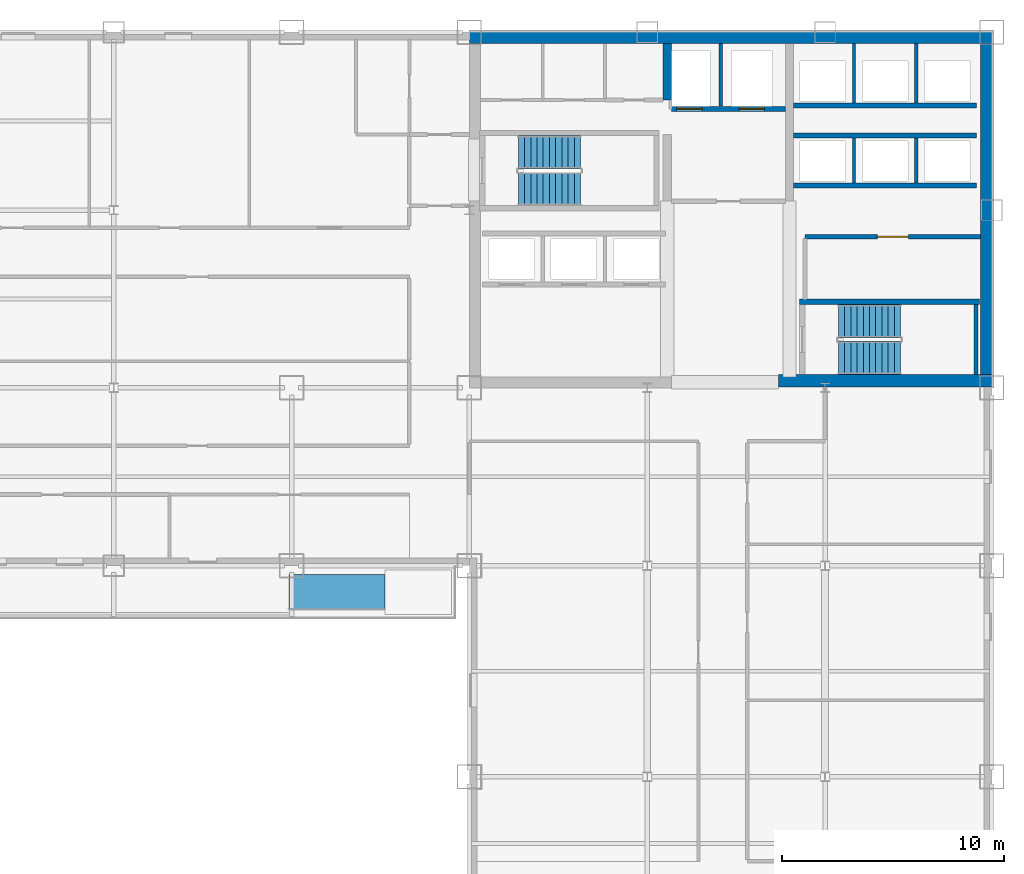
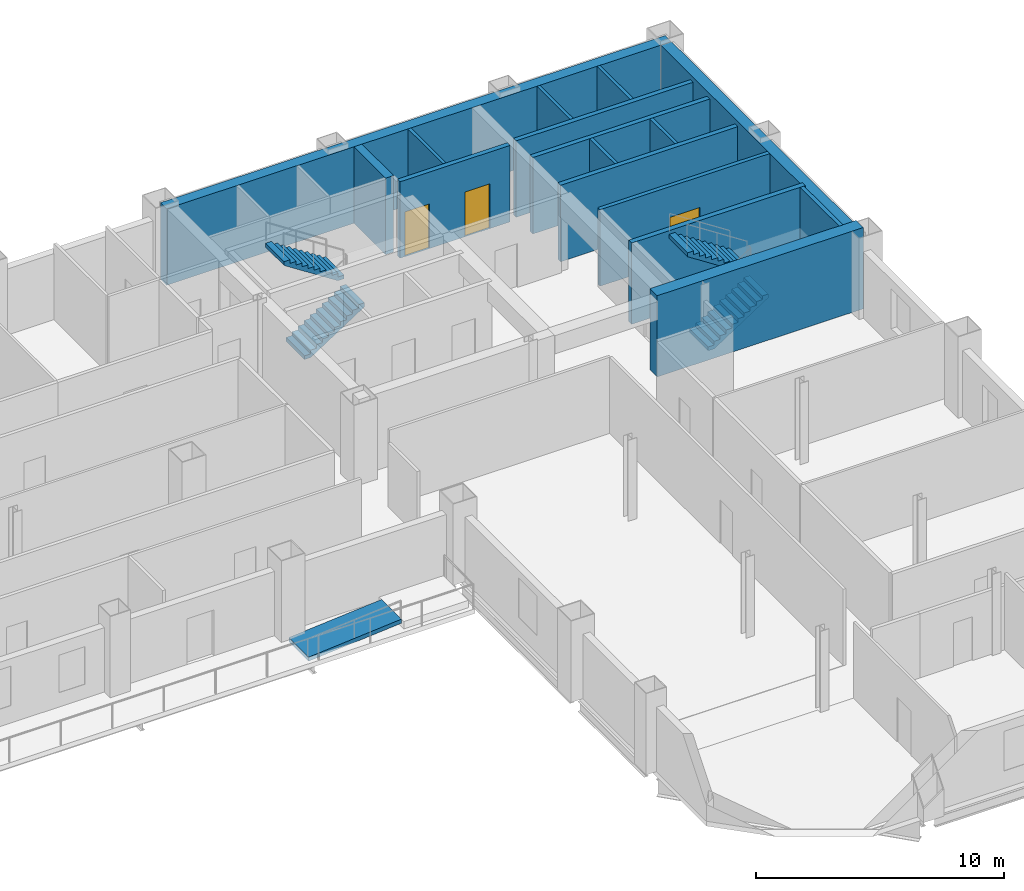
# One storey, part 8 of 10: 16 walls, 4 stair flights, 3 doors, 1 ramp flight, 3 openings, 3 elements without a shape of their own.
"""IFC4 building model written with IfcOpenShell, lengths in metres."""

import ifcopenshell
import ifcopenshell.guid

model = None  # the IFC model being written
_history = None  # IfcOwnerHistory: only IFC2X3 demands one
_inside = {}  # id of a spatial element -> (the spatial element, [elements in it])
_under = {}  # id of a project, library or spatial element -> (it, [spatial elements below it])
_declared = {}  # id of a project -> (the project, [libraries it declares])
_typed = {}  # id of a type object -> (the type object, [elements of that type])
_made_of = {}  # id of a material, layer set ... -> (it, [elements and type objects made of it])


def new_model(schema):
    """Start an empty IFC model of exactly this schema.

    Asked for "IFC4X3", IfcOpenShell would pick the latest addendum, in which some entities
    have other attributes; the version numbers below select the first issue.
    IFC2X3 requires an IfcOwnerHistory on every rooted entity: one is made here for all.
    """
    global model, _history
    if schema == "IFC4X3":
        model = ifcopenshell.file(schema_version=(4, 3, 0, 0))
    else:
        model = ifcopenshell.file(schema=schema)
    _inside.clear()
    _under.clear()
    _declared.clear()
    _typed.clear()
    _made_of.clear()
    _history = None
    if model.schema == "IFC2X3":
        org = make("IfcOrganization", Name="unknown")
        user = make(
            "IfcPersonAndOrganization",
            ThePerson=make("IfcPerson", FamilyName="unknown"),
            TheOrganization=org,
        )
        app = make(
            "IfcApplication",
            ApplicationDeveloper=org,
            Version="unknown",
            ApplicationFullName="unknown",
            ApplicationIdentifier="unknown",
        )
        _history = make(
            "IfcOwnerHistory",
            OwningUser=user,
            OwningApplication=app,
            ChangeAction="ADDED",
            CreationDate=0,
        )
    return model


def make(cls, **values):
    """One entity of the class cls with the attributes given. An attribute that is None is left unset."""
    return model.create_entity(
        cls, **{name: value for name, value in values.items() if value is not None}
    )


def rooted(cls, **values):
    """An entity with a GlobalId (a new one), such as an element, a storey or a relation."""
    return make(cls, GlobalId=ifcopenshell.guid.new(), OwnerHistory=_history, **values)


def si_unit(unit_type, name, prefix=None):
    """IfcSIUnit, for example si_unit("LENGTHUNIT", "METRE", prefix="MILLI")."""
    return make("IfcSIUnit", UnitType=unit_type, Prefix=prefix, Name=name)


def assignment(units):
    """IfcUnitAssignment: the units of a project."""
    return None if units is None else make("IfcUnitAssignment", Units=units)


def point(xyz):
    """IfcCartesianPoint."""
    return None if xyz is None else make("IfcCartesianPoint", Coordinates=xyz)


def direction(xyz):
    """IfcDirection."""
    return None if xyz is None else make("IfcDirection", DirectionRatios=xyz)


def frame(location, z_axis=None, x_axis=None):
    """IfcAxis2Placement3D, a coordinate frame: its origin and axes. An axis left out is left unset."""
    return make(
        "IfcAxis2Placement3D",
        Location=point(location),
        Axis=direction(z_axis),
        RefDirection=direction(x_axis),
    )


def frame_2d(location, x_axis=None):
    """IfcAxis2Placement2D, a coordinate frame in the plane: its origin and x axis."""
    return make(
        "IfcAxis2Placement2D", Location=point(location), RefDirection=direction(x_axis)
    )


def origin():
    """The frame at (0, 0, 0) with its axes left unset."""
    return frame((0.0, 0.0, 0.0))


def place(relative_to, where):
    """IfcLocalPlacement: puts the frame where relative to a parent placement (None: the world)."""
    return make(
        "IfcLocalPlacement", PlacementRelTo=relative_to, RelativePlacement=where
    )


def context(
    kind, dimensions, precision=None, world=None, true_north=None, identifier=None
):
    """IfcGeometricRepresentationContext, for example the 3D "Model" context."""
    return make(
        "IfcGeometricRepresentationContext",
        ContextIdentifier=identifier,
        ContextType=kind,
        CoordinateSpaceDimension=dimensions,
        Precision=precision,
        WorldCoordinateSystem=world,
        TrueNorth=true_north,
    )


def subcontext(parent, identifier, kind, view, scale=None):
    """IfcGeometricRepresentationSubContext, for example "Body" below "Model"."""
    return make(
        "IfcGeometricRepresentationSubContext",
        ContextIdentifier=identifier,
        ContextType=kind,
        ParentContext=parent,
        TargetScale=scale,
        TargetView=view,
    )


def project(units=None, contexts=None):
    """IfcProject with its units and contexts."""
    return rooted(
        "IfcProject",
        Name="project",
        RepresentationContexts=contexts,
        UnitsInContext=assignment(units),
    )


def spatial(cls, under=None, at=None, **own):
    """A site, building, storey or space (cls), placed at a placement, below another one or the project."""
    s = rooted(cls, ObjectPlacement=at, **own)
    if under is not None:
        _under.setdefault(under.id(), (under, []))[1].append(s)
    return s


def polyline(points):
    """IfcPolyline through the points."""
    return make("IfcPolyline", Points=[point(p) for p in points])


def profile(cls, at=None, kind="AREA", **sizes):
    """A parametric profile (cls). Its sizes go by their IFC names, for example OverallWidth=200.0."""
    return make(cls, ProfileType=kind, Position=at, **sizes)


def rectangle(**sizes):
    """IfcRectangleProfileDef."""
    return profile("IfcRectangleProfileDef", **sizes)


def outline(outer, holes=None, kind="AREA"):
    """IfcArbitraryClosedProfileDef: a profile drawn as a closed curve; with holes, ...WithVoids."""
    if holes is None:
        return make("IfcArbitraryClosedProfileDef", ProfileType=kind, OuterCurve=outer)
    return make(
        "IfcArbitraryProfileDefWithVoids",
        ProfileType=kind,
        OuterCurve=outer,
        InnerCurves=holes,
    )


def extrude(swept, where, along, depth):
    """IfcExtrudedAreaSolid: the profile swept, set in the frame where, extruded along a direction by depth."""
    return make(
        "IfcExtrudedAreaSolid",
        SweptArea=swept,
        Position=where,
        ExtrudedDirection=direction(along),
        Depth=depth,
    )


def shape(context_of_items, identifier, shape_type, items):
    """IfcShapeRepresentation: the items that make up one representation, for example the "Body"."""
    return make(
        "IfcShapeRepresentation",
        ContextOfItems=context_of_items,
        RepresentationIdentifier=identifier,
        RepresentationType=shape_type,
        Items=items,
    )


def material(Name=None, Category=None):
    """IfcMaterial."""
    return make("IfcMaterial", Name=Name, Category=Category)


def layer(
    of_material, thickness, ventilated=None, Name=None, Category=None, Priority=None
):
    """IfcMaterialLayer: one layer of a wall or slab, of a material (None: an air gap)."""
    return make(
        "IfcMaterialLayer",
        Material=of_material,
        LayerThickness=thickness,
        IsVentilated=ventilated,
        Name=Name,
        Category=Category,
        Priority=Priority,
    )


def layer_set(layers, Name=None):
    """IfcMaterialLayerSet."""
    return make("IfcMaterialLayerSet", MaterialLayers=layers, LayerSetName=Name)


def made_of(thing, what):
    """Note that an element or type object is made of a material, layer set ...; save() writes the relation."""
    if what is not None:
        _made_of.setdefault(what.id(), (what, []))[1].append(thing)
    return thing


def type_object(cls, material=None, **own):
    """A type object (cls), such as IfcWallType, which elements share."""
    return made_of(rooted(cls, **own), material)


def element(
    cls,
    number,
    at=None,
    inside=None,
    cuts=None,
    type_object=None,
    material=None,
    context=None,
    identifier="Body",
    shape_type=None,
    held_by="IfcProductDefinitionShape",
    body=None,
    shapes=None,
    **own,
):
    """One element of the class cls, such as IfcWall. Its Tag is "e" and its number.

    at: its placement. inside: the storey or other place that contains it. cuts: it is an
    opening in that element (IfcRelVoidsElement). A single representation is given by context,
    identifier, shape_type and body (its items); several are given by shapes. held_by: the class
    of the entity that holds the representations. save() writes the other relations.
    """
    e = rooted(cls, Tag="e%d" % number, ObjectPlacement=at, **own)
    if body is not None:
        shapes = [shape(context, identifier, shape_type, body)]
    if shapes is not None:
        e.Representation = make(held_by, Representations=shapes)
    if inside is not None:
        _inside.setdefault(inside.id(), (inside, []))[1].append(e)
    if cuts is not None:
        rooted(
            "IfcRelVoidsElement", RelatingBuildingElement=cuts, RelatedOpeningElement=e
        )
    if type_object is not None:
        _typed.setdefault(type_object.id(), (type_object, []))[1].append(e)
    return made_of(e, material)


def fill(opening, filler):
    """IfcRelFillsElement: the door or window that sits in an opening."""
    return rooted(
        "IfcRelFillsElement",
        RelatingOpeningElement=opening,
        RelatedBuildingElement=filler,
    )


def aggregate(whole, parts):
    """IfcRelAggregates: a whole, such as a stair, and the parts it consists of."""
    return rooted("IfcRelAggregates", RelatingObject=whole, RelatedObjects=parts)


def save(model, path):
    """Write the relations noted so far, then the file.

    IfcRelAggregates (storeys below a building ...), IfcRelContainedInSpatialStructure (elements
    in a storey), IfcRelDefinesByType, IfcRelAssociatesMaterial and IfcRelDeclares: one each for
    every whole, place, type object, material and project.
    """
    for whole, parts in _under.values():
        aggregate(whole, parts)
    for where, things in _inside.values():
        rooted(
            "IfcRelContainedInSpatialStructure",
            RelatedElements=things,
            RelatingStructure=where,
        )
    for kind, things in _typed.values():
        rooted("IfcRelDefinesByType", RelatedObjects=things, RelatingType=kind)
    for what, things in _made_of.values():
        rooted("IfcRelAssociatesMaterial", RelatedObjects=things, RelatingMaterial=what)
    for by, libraries in _declared.values():
        rooted("IfcRelDeclares", RelatingContext=by, RelatedDefinitions=libraries)
    model.write(path)


model = new_model("IFC4")

# Units and contexts
model_context = context("Model", 3, precision=1e-05, world=origin(), true_north=direction((0.0, 1.0)))
body_context = subcontext(model_context, "Body", "Model", "MODEL_VIEW")
ifc_project = project(units=[si_unit("LENGTHUNIT", "METRE"), si_unit("AREAUNIT", "SQUARE_METRE"), si_unit("VOLUMEUNIT", "CUBIC_METRE"), si_unit("PLANEANGLEUNIT", "RADIAN"), si_unit("MASSUNIT", "GRAM", prefix="KILO")], contexts=[model_context])

# Site, building, storey
site_placement = place(None, origin())
site = spatial("IfcSite", under=ifc_project, at=site_placement, CompositionType="ELEMENT")
building_placement = place(site_placement, origin())
building = spatial("IfcBuilding", under=site, at=building_placement, Name="Qianrong Seaharbour Tower", CompositionType="ELEMENT")
storey_placement = place(building_placement, frame((0.0, 0.0, 187.0)))
storey = spatial("IfcBuildingStorey", under=building, at=storey_placement, Name="L45", CompositionType="ELEMENT", Elevation=187.0)

# Walls
ifc_material_1 = material(Name="Concrete C60/75", Category="concrete")
ifc_layer_1 = layer(ifc_material_1, 0.5)
ifc_layer_set_1 = layer_set([ifc_layer_1], Name="Concrete C60/75")
wall_type_1 = type_object("IfcWallType", Name="WALL-CORE-500", PredefinedType="SHEAR", material=ifc_layer_set_1)
wall_1_placement = place(storey_placement, frame((40.5, 51.75, 0.0), z_axis=(0.0, 0.0, 1.0), x_axis=(1.0, 0.0, 0.0)))
element("IfcWall", 1, at=wall_1_placement, inside=storey, type_object=wall_type_1, Name="L45 North Core Shear Wall", PredefinedType="SHEAR", context=body_context, shape_type="SweptSolid", body=[
    extrude(rectangle(XDim=23.5, YDim=0.5, at=frame_2d((11.75, 0.0))), origin(), (0.0, 0.0, 1.0), 3.764892578125),
])
wall_2_placement = place(storey_placement, frame((63.75, 36.320068359375, 0.0), z_axis=(0.0, 0.0, 1.0), x_axis=(0.0, 1.0, 0.0)))
element("IfcWall", 2, at=wall_2_placement, inside=storey, type_object=wall_type_1, Name="L45 East Core Shear Wall", PredefinedType="SHEAR", context=body_context, shape_type="SweptSolid", body=[
    extrude(rectangle(XDim=15.179931640625, YDim=0.5, at=frame_2d((7.58984375, 0.0))), origin(), (0.0, 0.0, 1.0), 3.764892578125),
])
ifc_material_2 = material(Name="Concrete C70/85", Category="concrete")
ifc_layer_2 = layer(ifc_material_2, 0.580078125)
ifc_layer_set_2 = layer_set([ifc_layer_2], Name="Concrete C70/85")
wall_type_2 = type_object("IfcWallType", Name="WALL-CORE-580", PredefinedType="SHEAR", material=ifc_layer_set_2)
wall_3_placement = place(storey_placement, frame((54.39990234375, 36.320068359375, 0.0), z_axis=(0.0, 0.0, 1.0), x_axis=(1.0, 0.0, 0.0)))
element("IfcWall", 3, at=wall_3_placement, inside=storey, type_object=wall_type_2, Name="L45 South Core Shear Wall S3", PredefinedType="SHEAR", context=body_context, shape_type="SweptSolid", body=[
    extrude(rectangle(XDim=9.60009765625, YDim=0.580078125, at=frame_2d((4.800048828125, 0.0))), origin(), (0.0, 0.0, 1.0), 4.0),
])
ifc_layer_3 = layer(ifc_material_1, 0.3798828125)
ifc_layer_set_3 = layer_set([ifc_layer_3], Name="Concrete C60/75")
wall_type_3 = type_object("IfcWallType", Name="WALL-CORE-INT-380", PredefinedType="SHEAR", material=ifc_layer_set_3)
wall_4_placement = place(storey_placement, frame((49.39990234375, 48.949951171875, 0.0), z_axis=(0.0, 0.0, 1.0), x_axis=(0.0, 1.0, 0.0)))
element("IfcWall", 4, at=wall_4_placement, inside=storey, type_object=wall_type_3, Name="L45 Internal Core Shear Wall IW1N2", PredefinedType="SHEAR", context=body_context, shape_type="SweptSolid", body=[
    extrude(rectangle(XDim=2.550048828125, YDim=0.3798828125, at=frame_2d((1.27490234375, 0.0))), origin(), (0.0, 0.0, 1.0), 3.764892578125),
])

# Wall, opening, door
ifc_material_3 = material(Name="Double fire-rated gypsum board acoustic partition")
ifc_layer_4 = layer(ifc_material_3, 0.18994140625)
ifc_layer_set_4 = layer_set([ifc_layer_4], Name="Double fire-rated gypsum board acoustic partition")
wall_type_4 = type_object("IfcWallType", Name="WALL-FIRE-PART-190", PredefinedType="PARTITIONING", material=ifc_layer_set_4)
wall_5_placement = place(storey_placement, frame((63.5, 42.800048828125, 0.0), z_axis=(0.0, 0.0, 1.0), x_axis=(-1.0, 0.0, 0.0)))
wall_5 = element("IfcWall", 5, at=wall_5_placement, inside=storey, type_object=wall_type_4, Name="L45 Interior Partition Wall 012", PredefinedType="PARTITIONING", context=body_context, shape_type="SweptSolid", body=[
    extrude(rectangle(XDim=7.89990234375, YDim=0.18994140625, at=frame_2d((3.949951171875, 0.0))), origin(), (0.0, 0.0, 1.0), 3.764892578125),
])
opening_1_placement = place(wall_5_placement, frame((3.25, 0.0, 0.0)))
opening_1 = element("IfcOpeningElement", 6, at=opening_1_placement, cuts=wall_5, Name="Opening DP-01", PredefinedType="OPENING", context=body_context, shape_type="SweptSolid", body=[
    extrude(rectangle(XDim=1.39990234375, YDim=2.25, at=frame_2d((0.699951171875, 1.125))), frame((0.0, 0.10498046875, 0.0), z_axis=(0.0, -1.0, 0.0), x_axis=(1.0, 0.0, 0.0)), (0.0, 0.0, 1.0), 0.2099609375),
])
ifc_material_4 = material(Name="Acoustic timber and galvanized steel fire door assembly", Category="steel")
door_type_1 = type_object("IfcDoorType", Name="DOOR-PLANT-PAIR-1400x2250", OperationType="DOUBLE_DOOR_SINGLE_SWING", PredefinedType="DOOR", material=ifc_material_4)
door_1_placement = place(opening_1_placement, origin())
door_1 = element("IfcDoor", 7, at=door_1_placement, inside=storey, type_object=door_type_1, Name="L45 Core Telecom Hub Room Door", OperationType="DOUBLE_DOOR_SINGLE_SWING", OverallHeight=2.25, OverallWidth=1.39990234375, PredefinedType="DOOR", context=body_context, shape_type="SweptSolid", body=[
    extrude(rectangle(XDim=1.39990234375, YDim=2.25, at=frame_2d((0.699951171875, 1.125))), frame((0.0, 0.02490234375, 0.0), z_axis=(0.0, -1.0, 0.0), x_axis=(1.0, 0.0, 0.0)), (0.0, 0.0, 1.0), 0.050048828125),
])
fill(opening_1, door_1)

# Walls
ifc_material_5 = material(Name="Fire-rated gypsum board on steel studs", Category="steel")
ifc_layer_5 = layer(ifc_material_5, 0.14990234375)
ifc_layer_set_5 = layer_set([ifc_layer_5], Name="Fire-rated gypsum board on steel studs")
wall_type_5 = type_object("IfcWallType", Name="WALL-SHAFT-DIV-150", PredefinedType="PARTITIONING", material=ifc_layer_set_5)
wall_6_placement = place(storey_placement, frame((51.800048828125, 48.669921875, 0.0), z_axis=(0.0, 0.0, 1.0), x_axis=(0.0, 1.0, 0.0)))
element("IfcWall", 8, at=wall_6_placement, inside=storey, type_object=wall_type_5, Name="L45 Firefighting Lift Shaft Divider Wall", PredefinedType="PARTITIONING", context=body_context, shape_type="SweptSolid", body=[
    extrude(rectangle(XDim=2.830078125, YDim=0.14990234375, at=frame_2d((1.4150390625, 0.0))), origin(), (0.0, 0.0, 1.0), 3.764892578125),
])
for number, where, z_axis, x_axis, name in (
    (9, (57.800048828125, 45.2099609375, 0.0), (0.0, 0.0, 1.0), (0.0, 1.0, 0.0), "L45 P3 Lift Hoistway Divider 2"),
    (10, (60.60009765625, 45.2099609375, 0.0), (0.0, 0.0, 1.0), (0.0, 1.0, 0.0), "L45 P3 Lift Hoistway Divider 3"),
):
    element("IfcWall", number, at=place(storey_placement, frame(where, z_axis=z_axis, x_axis=x_axis)), inside=storey, type_object=wall_type_5, Name=name, PredefinedType="PARTITIONING", context=body_context, shape_type="SweptSolid", body=[
        extrude(rectangle(XDim=2.030029296875, YDim=0.14990234375, at=frame_2d((1.01513671875, 0.0))), origin(), (0.0, 0.0, 1.0), 3.764892578125),
    ])
for number, where, z_axis, x_axis, name in (
    (11, (57.800048828125, 48.81005859375, 0.0), (0.0, 0.0, 1.0), (0.0, 1.0, 0.0), "L45 P4 Lift Hoistway Divider 2"),
    (12, (60.60009765625, 48.81005859375, 0.0), (0.0, 0.0, 1.0), (0.0, 1.0, 0.0), "L45 P4 Lift Hoistway Divider 3"),
):
    element("IfcWall", number, at=place(storey_placement, frame(where, z_axis=z_axis, x_axis=x_axis)), inside=storey, type_object=wall_type_5, Name=name, PredefinedType="PARTITIONING", context=body_context, shape_type="SweptSolid", body=[
        extrude(rectangle(XDim=2.68994140625, YDim=0.14990234375, at=frame_2d((1.344970703125, 0.0))), origin(), (0.0, 0.0, 1.0), 3.764892578125),
    ])

# Wall, openings, doors
ifc_layer_6 = layer(ifc_material_5, 0.219970703125)
ifc_layer_set_6 = layer_set([ifc_layer_6], Name="Fire-rated gypsum board on steel studs")
wall_type_6 = type_object("IfcWallType", Name="WALL-SHAFT-GYP220", PredefinedType="PARTITIONING", material=ifc_layer_set_6)
wall_7_placement = place(storey_placement, frame((54.7099609375, 48.550048828125, 0.0), z_axis=(0.0, 0.0, 1.0), x_axis=(-1.0, 0.0, 0.0)))
wall_7 = element("IfcWall", 13, at=wall_7_placement, inside=storey, type_object=wall_type_6, Name="L45 Firefighting Lift Shaft Front Wall", PredefinedType="PARTITIONING", context=body_context, shape_type="SweptSolid", body=[
    extrude(rectangle(XDim=5.119873046875, YDim=0.219970703125, at=frame_2d((2.56005859375, 0.0))), origin(), (0.0, 0.0, 1.0), 3.764892578125),
])
opening_2_placement = place(wall_7_placement, frame((3.735107421875, 0.0, 0.0)))
opening_2 = element("IfcOpeningElement", 14, at=opening_2_placement, cuts=wall_7, Name="Opening LD-01", PredefinedType="OPENING", context=body_context, shape_type="SweptSolid", body=[
    extrude(rectangle(XDim=1.14990234375, YDim=2.199951171875, at=frame_2d((0.574951171875, 1.10009765625))), frame((0.0, 0.1201171875, 0.0), z_axis=(0.0, -1.0, 0.0), x_axis=(1.0, 0.0, 0.0)), (0.0, 0.0, 1.0), 0.239990234375),
])
opening_3_placement = place(wall_7_placement, frame((0.93505859375, 0.0, 0.0)))
opening_3 = element("IfcOpeningElement", 15, at=opening_3_placement, cuts=wall_7, Name="Opening LD-01", PredefinedType="OPENING", context=body_context, shape_type="SweptSolid", body=[
    extrude(rectangle(XDim=1.14990234375, YDim=2.199951171875, at=frame_2d((0.574951171875, 1.10009765625))), frame((0.0, 0.1201171875, 0.0), z_axis=(0.0, -1.0, 0.0), x_axis=(1.0, 0.0, 0.0)), (0.0, 0.0, 1.0), 0.239990234375),
])
ifc_material_6 = material(Name="Stainless steel SUS316L bi-parting lift landing door", Category="steel")
door_type_2 = type_object("IfcDoorType", Name="DOOR-LIFT-FF-1150x2200", OperationType="DOUBLE_DOOR_SLIDING", PredefinedType="DOOR", material=ifc_material_6)
door_2_placement = place(opening_2_placement, origin())
door_2 = element("IfcDoor", 16, at=door_2_placement, inside=storey, type_object=door_type_2, Name="L45 FL-1 Firefighting Lift Landing Door", OperationType="DOUBLE_DOOR_SLIDING", OverallHeight=2.199951171875, OverallWidth=1.14990234375, PredefinedType="DOOR", context=body_context, shape_type="SweptSolid", body=[
    extrude(rectangle(XDim=1.14990234375, YDim=2.199951171875, at=frame_2d((0.574951171875, 1.10009765625))), frame((0.0, 0.02490234375, 0.0), z_axis=(0.0, -1.0, 0.0), x_axis=(1.0, 0.0, 0.0)), (0.0, 0.0, 1.0), 0.050048828125),
])
fill(opening_2, door_2)
door_3_placement = place(opening_3_placement, origin())
door_3 = element("IfcDoor", 17, at=door_3_placement, inside=storey, type_object=door_type_2, Name="L45 FL-2 Firefighting Lift Landing Door", OperationType="DOUBLE_DOOR_SLIDING", OverallHeight=2.199951171875, OverallWidth=1.14990234375, PredefinedType="DOOR", context=body_context, shape_type="SweptSolid", body=[
    extrude(rectangle(XDim=1.14990234375, YDim=2.199951171875, at=frame_2d((0.574951171875, 1.10009765625))), frame((0.0, 0.02490234375, 0.0), z_axis=(0.0, -1.0, 0.0), x_axis=(1.0, 0.0, 0.0)), (0.0, 0.0, 1.0), 0.050048828125),
])
fill(opening_3, door_3)

# Walls
for number, where, z_axis, x_axis, name in (
    (18, (63.320068359375, 45.10009765625, 0.0), (0.0, 0.0, 1.0), (-1.0, 0.0, 0.0), "L45 P3 Lift Hoistway Front Wall"),
    (19, (55.080078125, 47.35009765625, 0.0), (0.0, 0.0, 1.0), (1.0, 0.0, 0.0), "L45 P3 Lift Hoistway Back Wall"),
    (20, (63.320068359375, 48.699951171875, 0.0), (0.0, 0.0, 1.0), (-1.0, 0.0, 0.0), "L45 P4 Lift Hoistway Front Wall"),
):
    element("IfcWall", number, at=place(storey_placement, frame(where, z_axis=z_axis, x_axis=x_axis)), inside=storey, type_object=wall_type_6, Name=name, PredefinedType="PARTITIONING", context=body_context, shape_type="SweptSolid", body=[
        extrude(rectangle(XDim=8.239990234375, YDim=0.219970703125, at=frame_2d((4.1201171875, 0.0))), origin(), (0.0, 0.0, 1.0), 3.764892578125),
    ])
ifc_material_7 = material(Name="Concrete C50/60", Category="concrete")
ifc_layer_7 = layer(ifc_material_7, 0.239990234375)
ifc_layer_set_7 = layer_set([ifc_layer_7], Name="Concrete C50/60")
wall_type_7 = type_object("IfcWallType", Name="WALL-SHAFT-RC240", PredefinedType="SOLIDWALL", material=ifc_layer_set_7)
wall_8_placement = place(storey_placement, frame((55.360107421875, 39.8701171875, 0.0), z_axis=(0.0, 0.0, 1.0), x_axis=(1.0, 0.0, 0.0)))
element("IfcWall", 21, at=wall_8_placement, inside=storey, type_object=wall_type_7, Name="L45 ST-2 Structural Stair Core Wall N", PredefinedType="SOLIDWALL", context=body_context, shape_type="SweptSolid", body=[
    extrude(rectangle(XDim=8.079833984375, YDim=0.239990234375, at=frame_2d((4.0400390625, 0.0))), origin(), (0.0, 0.0, 1.0), 4.0),
])
wall_9_placement = place(storey_placement, frame((63.2900390625, 36.60009765625, 0.0), z_axis=(0.0, 0.0, 1.0), x_axis=(0.0, 1.0, 0.0)))
element("IfcWall", 22, at=wall_9_placement, inside=storey, type_object=wall_type_7, Name="L45 ST-2 Structural Stair Core Wall E", PredefinedType="SOLIDWALL", context=body_context, shape_type="SweptSolid", body=[
    extrude(rectangle(XDim=3.14990234375, YDim=0.179931640625, at=frame_2d((1.574951171875, 0.0))), origin(), (0.0, 0.0, 1.0), 4.0),
])

# Stair, stair flights
stair_type = type_object("IfcStairType", Name="STAIR-DOGLEG-1500-R22", PredefinedType="HALF_TURN_STAIR", material=ifc_material_7)
stair_1_placement = place(storey_placement, origin())
stair_1 = element("IfcStair", 23, at=stair_1_placement, inside=storey, type_object=stair_type, Name="L45 Protected Escape Stair ST-1", PredefinedType="HALF_TURN_STAIR")
stair_flight_type = type_object("IfcStairFlightType", Name="FLIGHT-STR-1500-R22", PredefinedType="STRAIGHT", material=ifc_material_7)
stair_flight_1_placement = place(storey_placement, frame((42.699951171875, 44.949951171875, 0.0), z_axis=(0.0, 0.0, 1.0), x_axis=(1.0, 0.0, 0.0)))
stair_flight_1 = element("IfcStairFlight", 24, at=stair_flight_1_placement, type_object=stair_flight_type, Name="ST-1 flight 1", NumberOfRisers=11, NumberOfTreads=10, PredefinedType="STRAIGHT", RiserHeight=0.181818182, TreadLength=0.28, context=body_context, shape_type="SweptSolid", body=[
    extrude(outline(polyline([(0.0, 0.0), (0.0, 0.181884765625), (0.280029296875, 0.181884765625), (0.280029296875, 0.363525390625), (0.56005859375, 0.363525390625), (0.56005859375, 0.54541015625), (0.840087890625, 0.54541015625), (0.840087890625, 0.727294921875), (1.1201171875, 0.727294921875), (1.1201171875, 0.9091796875), (1.39990234375, 0.9091796875), (1.39990234375, 1.0908203125), (1.679931640625, 1.0908203125), (1.679931640625, 1.272705078125), (1.9599609375, 1.272705078125), (1.9599609375, 1.45458984375), (2.239990234375, 1.45458984375), (2.239990234375, 1.636474609375), (2.52001953125, 1.636474609375), (2.52001953125, 1.818115234375), (2.800048828125, 1.818115234375), (2.800048828125, 2.0), (2.800048828125, 1.62744140625), (0.293701171875, 0.0), (0.0, 0.0)])), frame((0.0, 0.75, 0.0), z_axis=(0.0, -1.0, 0.0), x_axis=(1.0, 0.0, 0.0)), (0.0, 0.0, 1.0), 1.5),
])
stair_flight_2_placement = place(storey_placement, frame((45.5, 46.60009765625, 2.0), z_axis=(0.0, 0.0, 1.0), x_axis=(-1.0, 0.0, 0.0)))
stair_flight_2 = element("IfcStairFlight", 25, at=stair_flight_2_placement, type_object=stair_flight_type, Name="ST-1 flight 2", NumberOfRisers=11, NumberOfTreads=10, PredefinedType="STRAIGHT", RiserHeight=0.181818182, TreadLength=0.28, context=body_context, shape_type="SweptSolid", body=[
    extrude(outline(polyline([(0.0, 0.0), (0.0, 0.181884765625), (0.280029296875, 0.181884765625), (0.280029296875, 0.363525390625), (0.56005859375, 0.363525390625), (0.56005859375, 0.54541015625), (0.840087890625, 0.54541015625), (0.840087890625, 0.727294921875), (1.1201171875, 0.727294921875), (1.1201171875, 0.9091796875), (1.39990234375, 0.9091796875), (1.39990234375, 1.0908203125), (1.679931640625, 1.0908203125), (1.679931640625, 1.272705078125), (1.9599609375, 1.272705078125), (1.9599609375, 1.45458984375), (2.239990234375, 1.45458984375), (2.239990234375, 1.636474609375), (2.52001953125, 1.636474609375), (2.52001953125, 1.818115234375), (2.800048828125, 1.818115234375), (2.800048828125, 2.0), (2.800048828125, 1.62744140625), (0.293701171875, 0.0), (0.0, 0.0)])), frame((0.0, 0.75, 0.0), z_axis=(0.0, -1.0, 0.0), x_axis=(1.0, 0.0, 0.0)), (0.0, 0.0, 1.0), 1.5),
])
aggregate(stair_1, [stair_flight_1, stair_flight_2])

stair_2_placement = place(storey_placement, origin())
stair_2 = element("IfcStair", 26, at=stair_2_placement, inside=storey, type_object=stair_type, Name="L45 Protected Escape Stair ST-2", PredefinedType="HALF_TURN_STAIR")
stair_flight_3_placement = place(storey_placement, frame((57.10009765625, 37.35009765625, 0.0), z_axis=(0.0, 0.0, 1.0), x_axis=(1.0, 0.0, 0.0)))
stair_flight_3 = element("IfcStairFlight", 27, at=stair_flight_3_placement, type_object=stair_flight_type, Name="ST-2 flight 1", NumberOfRisers=11, NumberOfTreads=10, PredefinedType="STRAIGHT", RiserHeight=0.181818182, TreadLength=0.28, context=body_context, shape_type="SweptSolid", body=[
    extrude(outline(polyline([(0.0, 0.0), (0.0, 0.181884765625), (0.280029296875, 0.181884765625), (0.280029296875, 0.363525390625), (0.56005859375, 0.363525390625), (0.56005859375, 0.54541015625), (0.840087890625, 0.54541015625), (0.840087890625, 0.727294921875), (1.1201171875, 0.727294921875), (1.1201171875, 0.9091796875), (1.39990234375, 0.9091796875), (1.39990234375, 1.0908203125), (1.679931640625, 1.0908203125), (1.679931640625, 1.272705078125), (1.9599609375, 1.272705078125), (1.9599609375, 1.45458984375), (2.239990234375, 1.45458984375), (2.239990234375, 1.636474609375), (2.52001953125, 1.636474609375), (2.52001953125, 1.818115234375), (2.800048828125, 1.818115234375), (2.800048828125, 2.0), (2.800048828125, 1.62744140625), (0.293701171875, 0.0), (0.0, 0.0)])), frame((0.0, 0.75, 0.0), z_axis=(0.0, -1.0, 0.0), x_axis=(1.0, 0.0, 0.0)), (0.0, 0.0, 1.0), 1.5),
])
stair_flight_4_placement = place(storey_placement, frame((59.89990234375, 39.0, 2.0), z_axis=(0.0, 0.0, 1.0), x_axis=(-1.0, 0.0, 0.0)))
stair_flight_4 = element("IfcStairFlight", 28, at=stair_flight_4_placement, type_object=stair_flight_type, Name="ST-2 flight 2", NumberOfRisers=11, NumberOfTreads=10, PredefinedType="STRAIGHT", RiserHeight=0.181818182, TreadLength=0.28, context=body_context, shape_type="SweptSolid", body=[
    extrude(outline(polyline([(0.0, 0.0), (0.0, 0.181884765625), (0.280029296875, 0.181884765625), (0.280029296875, 0.363525390625), (0.56005859375, 0.363525390625), (0.56005859375, 0.54541015625), (0.840087890625, 0.54541015625), (0.840087890625, 0.727294921875), (1.1201171875, 0.727294921875), (1.1201171875, 0.9091796875), (1.39990234375, 0.9091796875), (1.39990234375, 1.0908203125), (1.679931640625, 1.0908203125), (1.679931640625, 1.272705078125), (1.9599609375, 1.272705078125), (1.9599609375, 1.45458984375), (2.239990234375, 1.45458984375), (2.239990234375, 1.636474609375), (2.52001953125, 1.636474609375), (2.52001953125, 1.818115234375), (2.800048828125, 1.818115234375), (2.800048828125, 2.0), (2.800048828125, 1.62744140625), (0.293701171875, 0.0), (0.0, 0.0)])), frame((0.0, 0.75, 0.0), z_axis=(0.0, -1.0, 0.0), x_axis=(1.0, 0.0, 0.0)), (0.0, 0.0, 1.0), 1.5),
])
aggregate(stair_2, [stair_flight_3, stair_flight_4])

# Ramp, ramp flight
ifc_material_8 = material(Name="White architectural precast concrete C45/55", Category="concrete")
ramp_type = type_object("IfcRampType", Name="RAMP-RIBBON-GARDEN", PredefinedType="STRAIGHT_RUN_RAMP", material=ifc_material_8)
ramp_placement = place(storey_placement, origin())
ramp = element("IfcRamp", 29, at=ramp_placement, inside=storey, type_object=ramp_type, Name="L45 Harbourfront Garden Ribbon Ramp", PredefinedType="STRAIGHT_RUN_RAMP")
ifc_layer_8 = layer(ifc_material_8, 0.199951171875)
ifc_layer_set_8 = layer_set([ifc_layer_8], Name="White architectural precast concrete C45/55")
ramp_flight_type = type_object("IfcRampFlightType", Name="RAMP-FLIGHT-GARDEN-200", PredefinedType="STRAIGHT", material=ifc_layer_set_8)
ramp_flight_placement = place(storey_placement, frame((32.3798828125, 26.800048828125, 0.0), z_axis=(0.0, 0.0, 1.0), x_axis=(1.0, 0.0, 0.0)))
ramp_flight = element("IfcRampFlight", 30, at=ramp_flight_placement, type_object=ramp_flight_type, Name="L45 Harbourfront Garden Ribbon Ramp Flight", PredefinedType="STRAIGHT", context=body_context, shape_type="SweptSolid", body=[
    extrude(outline(polyline([(0.0, 0.0), (4.320068359375, 0.360107421875), (4.320068359375, 0.16015625), (0.0, -0.199951171875), (0.0, 0.0)])), frame((0.0, 0.800048828125, 0.0), z_axis=(0.0, -1.0, 0.0), x_axis=(1.0, 0.0, 0.0)), (0.0, 0.0, 1.0), 1.60009765625),
])
aggregate(ramp, [ramp_flight])

save(model, "model.ifc")
